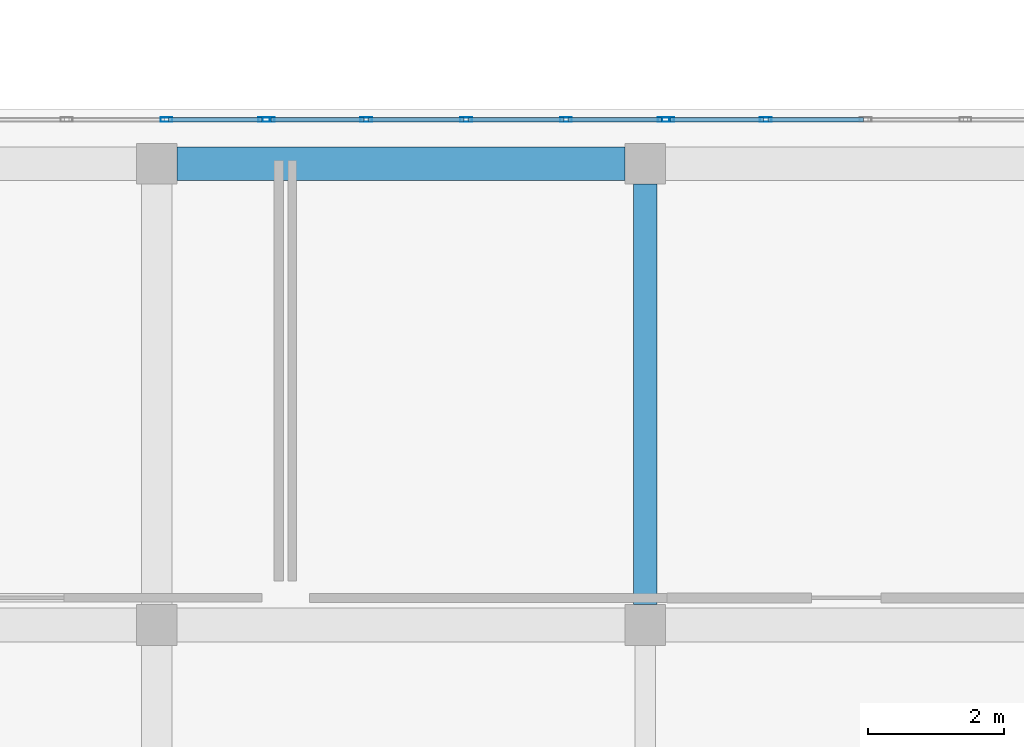
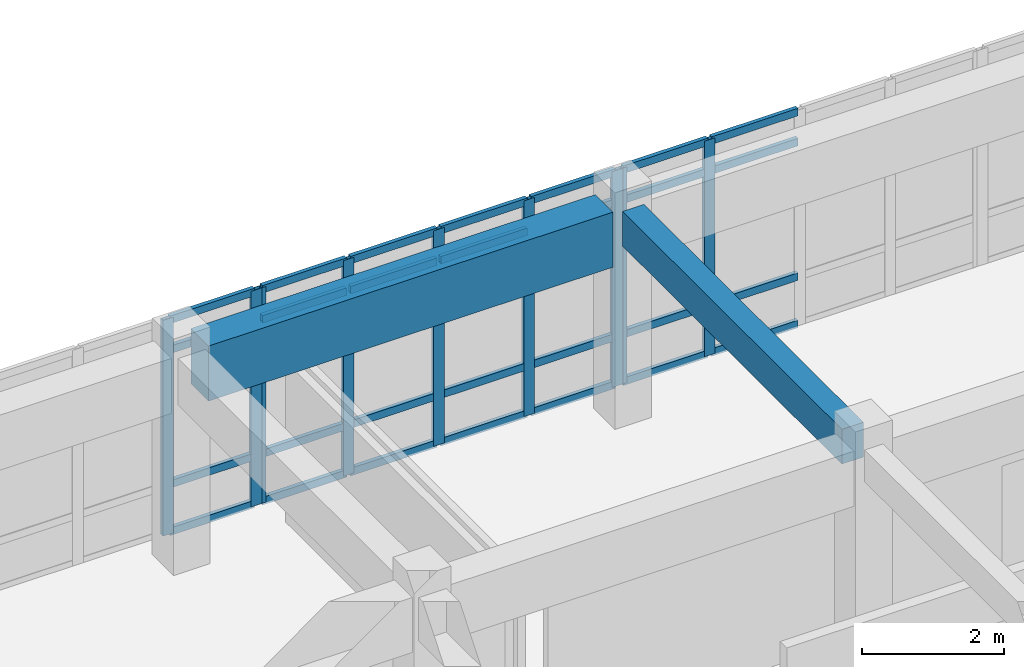
# One storey, part 22 of 91: 37 members, 2 beams, 3 elements without a shape of their own.
"""IFC4 building model written with IfcOpenShell, lengths in metres."""

from ifc_helpers import new_model, si_unit, direction, frame, origin, origin_2d, place, context, subcontext, project, spatial, rectangle, hollow_rectangle, extrude, material, layer, layer_set, material_profile, profile_set, type_object, element, aggregate, save


model = new_model("IFC4")

# Units and contexts
model_context = context("Model", 3, precision=1e-05, world=origin(), true_north=direction((0.0, 1.0)))
body_context = subcontext(model_context, "Body", "Model", "MODEL_VIEW")
ifc_project = project(units=[si_unit("LENGTHUNIT", "METRE"), si_unit("AREAUNIT", "SQUARE_METRE"), si_unit("VOLUMEUNIT", "CUBIC_METRE"), si_unit("PLANEANGLEUNIT", "RADIAN"), si_unit("MASSUNIT", "GRAM", prefix="KILO")], contexts=[model_context])

# Site, building, storey
site_placement = place(None, origin())
site = spatial("IfcSite", under=ifc_project, at=site_placement, CompositionType="ELEMENT")
building_placement = place(site_placement, origin())
building = spatial("IfcBuilding", under=site, at=building_placement, Name="Valcora Specialist Clinic", CompositionType="ELEMENT")
storey_placement = place(building_placement, frame((0.0, 0.0, 13.60009765625)))
storey = spatial("IfcBuildingStorey", under=building, at=storey_placement, Name="L03", CompositionType="ELEMENT", Elevation=13.60009765625)

# Beams
ifc_material_1 = material(Name="Concrete C40/50", Category="concrete")
ifc_material_profile_1 = material_profile(ifc_material_1, rectangle(XDim=0.35009765625, YDim=0.60009765625, at=origin_2d()), Name="RC-BM-350X600")
ifc_profile_set_1 = profile_set([ifc_material_profile_1], Name="Concrete C40/50")
beam_type_1 = type_object("IfcBeamType", Name="TY-BM-RC350X600", PredefinedType="BEAM", material=ifc_profile_set_1)
beam_1_placement = place(storey_placement, frame((23.39990234375, 15.5, 3.419921875), z_axis=(0.0, 1.0, 0.0), x_axis=(-1.0, 0.0, 0.0)))
element("IfcBeam", 1, at=beam_1_placement, inside=storey, type_object=beam_type_1, Name="Beam BM-L03-1062", PredefinedType="BEAM", context=body_context, shape_type="SweptSolid", body=[
    extrude(rectangle(XDim=0.35009765625, YDim=0.60009765625, at=origin_2d()), origin(), (0.0, 0.0, 1.0), 6.199951171875),
])
ifc_material_profile_2 = material_profile(ifc_material_1, rectangle(XDim=0.5, YDim=0.949951171875, at=origin_2d()), Name="RC-BM-500X950")
ifc_profile_set_2 = profile_set([ifc_material_profile_2], Name="Concrete C40/50")
beam_type_2 = type_object("IfcBeamType", Name="TY-BM-TR500X950", PredefinedType="BEAM", material=ifc_profile_set_2)
beam_2_placement = place(storey_placement, frame((16.5, 22.0, 3.244873046875), z_axis=(1.0, 0.0, 0.0), x_axis=(0.0, 1.0, 0.0)))
element("IfcBeam", 2, at=beam_2_placement, inside=storey, type_object=beam_type_2, Name="Beam BM-L03-1049", PredefinedType="BEAM", context=body_context, shape_type="SweptSolid", body=[
    extrude(rectangle(XDim=0.5, YDim=0.949951171875, at=origin_2d()), origin(), (0.0, 0.0, 1.0), 6.60009765625),
])

# Curtain wall, members
ifc_material_2 = material(Name="Anodized Bronze Aluminium 6063-T6", Category="aluminium")
ifc_layer = layer(ifc_material_2, 0.175048828125)
ifc_layer_set = layer_set([ifc_layer], Name="Anodized Bronze Aluminium 6063-T6")
curtain_wall_type = type_object("IfcCurtainWallType", Name="TY-CW-V5F15", PredefinedType="NOTDEFINED", material=ifc_layer_set)
curtain_wall_1_placement = place(storey_placement, origin())
curtain_wall_1 = element("IfcCurtainWall", 3, at=curtain_wall_1_placement, inside=storey, type_object=curtain_wall_type, Name="Curtain wall CW-L03-157", PredefinedType="NOTDEFINED")
ifc_material_profile_3 = material_profile(ifc_material_2, hollow_rectangle(XDim=0.06494140625, YDim=0.175048828125, WallThickness=0.00390625, at=origin_2d()), Name="AL-MUL-65X175")
ifc_profile_set_3 = profile_set([ifc_material_profile_3], Name="Anodized Bronze Aluminium 6063-T6")
member_type_1 = type_object("IfcMemberType", Name="TY-CWM-65X175", PredefinedType="MULLION", material=ifc_profile_set_3)
member_1_placement = place(storey_placement, frame((16.344482421875, 22.64990234375, 0.0), z_axis=(0.0, 0.0, 1.0), x_axis=(0.0, 1.0, 0.0)))
member_1 = element("IfcMember", 4, at=member_1_placement, type_object=member_type_1, Name="CW-V5F-15 mullion 4", PredefinedType="MULLION", context=body_context, shape_type="SweptSolid", body=[
    extrude(hollow_rectangle(XDim=0.06494140625, YDim=0.175048828125, WallThickness=0.00390625, at=origin_2d()), origin(), (0.0, 0.0, 1.0), 3.719970703125),
])
member_2_placement = place(storey_placement, frame((17.7841796875, 22.64990234375, 0.0), z_axis=(0.0, 0.0, 1.0), x_axis=(0.0, 1.0, 0.0)))
member_2 = element("IfcMember", 5, at=member_2_placement, type_object=member_type_1, Name="CW-V5F-15 mullion 5", PredefinedType="MULLION", context=body_context, shape_type="SweptSolid", body=[
    extrude(hollow_rectangle(XDim=0.06494140625, YDim=0.175048828125, WallThickness=0.00390625, at=origin_2d()), origin(), (0.0, 0.0, 1.0), 3.719970703125),
])

curtain_wall_2_placement = place(storey_placement, origin())
curtain_wall_2 = element("IfcCurtainWall", 6, at=curtain_wall_2_placement, inside=storey, type_object=curtain_wall_type, Name="Curtain wall CW-L03-158", PredefinedType="NOTDEFINED")
member_3_placement = place(storey_placement, frame((17.84912109375, 22.64990234375, 0.0), z_axis=(0.0, 0.0, 1.0), x_axis=(0.0, 1.0, 0.0)))
member_3 = element("IfcMember", 7, at=member_3_placement, type_object=member_type_1, Name="CW-V5F-15 mullion 1", PredefinedType="MULLION", context=body_context, shape_type="SweptSolid", body=[
    extrude(hollow_rectangle(XDim=0.06494140625, YDim=0.175048828125, WallThickness=0.00390625, at=origin_2d()), origin(), (0.0, 0.0, 1.0), 3.719970703125),
])
member_4_placement = place(storey_placement, frame((19.288818359375, 22.64990234375, 0.0), z_axis=(0.0, 0.0, 1.0), x_axis=(0.0, 1.0, 0.0)))
member_4 = element("IfcMember", 8, at=member_4_placement, type_object=member_type_1, Name="CW-V5F-15 mullion 2", PredefinedType="MULLION", context=body_context, shape_type="SweptSolid", body=[
    extrude(hollow_rectangle(XDim=0.06494140625, YDim=0.175048828125, WallThickness=0.00390625, at=origin_2d()), origin(), (0.0, 0.0, 1.0), 3.719970703125),
])
member_5_placement = place(storey_placement, frame((20.76123046875, 22.64990234375, 0.0), z_axis=(0.0, 0.0, 1.0), x_axis=(0.0, 1.0, 0.0)))
member_5 = element("IfcMember", 9, at=member_5_placement, type_object=member_type_1, Name="CW-V5F-15 mullion 3", PredefinedType="MULLION", context=body_context, shape_type="SweptSolid", body=[
    extrude(hollow_rectangle(XDim=0.06494140625, YDim=0.175048828125, WallThickness=0.00390625, at=origin_2d()), origin(), (0.0, 0.0, 1.0), 3.719970703125),
])
member_6_placement = place(storey_placement, frame((22.2333984375, 22.64990234375, 0.0), z_axis=(0.0, 0.0, 1.0), x_axis=(0.0, 1.0, 0.0)))
member_6 = element("IfcMember", 10, at=member_6_placement, type_object=member_type_1, Name="CW-V5F-15 mullion 4", PredefinedType="MULLION", context=body_context, shape_type="SweptSolid", body=[
    extrude(hollow_rectangle(XDim=0.06494140625, YDim=0.175048828125, WallThickness=0.00390625, at=origin_2d()), origin(), (0.0, 0.0, 1.0), 3.719970703125),
])
member_7_placement = place(storey_placement, frame((23.673095703125, 22.64990234375, 0.0), z_axis=(0.0, 0.0, 1.0), x_axis=(0.0, 1.0, 0.0)))
member_7 = element("IfcMember", 11, at=member_7_placement, type_object=member_type_1, Name="CW-V5F-15 mullion 5", PredefinedType="MULLION", context=body_context, shape_type="SweptSolid", body=[
    extrude(hollow_rectangle(XDim=0.06494140625, YDim=0.175048828125, WallThickness=0.00390625, at=origin_2d()), origin(), (0.0, 0.0, 1.0), 3.719970703125),
])

curtain_wall_3_placement = place(storey_placement, origin())
curtain_wall_3 = element("IfcCurtainWall", 12, at=curtain_wall_3_placement, inside=storey, type_object=curtain_wall_type, Name="Curtain wall CW-L03-159", PredefinedType="NOTDEFINED")
member_8_placement = place(storey_placement, frame((23.738037109375, 22.64990234375, 0.0), z_axis=(0.0, 0.0, 1.0), x_axis=(0.0, 1.0, 0.0)))
member_8 = element("IfcMember", 13, at=member_8_placement, type_object=member_type_1, Name="CW-V5F-15 mullion 1", PredefinedType="MULLION", context=body_context, shape_type="SweptSolid", body=[
    extrude(hollow_rectangle(XDim=0.06494140625, YDim=0.175048828125, WallThickness=0.00390625, at=origin_2d()), origin(), (0.0, 0.0, 1.0), 3.719970703125),
])
member_9_placement = place(storey_placement, frame((25.177734375, 22.64990234375, 0.0), z_axis=(0.0, 0.0, 1.0), x_axis=(0.0, 1.0, 0.0)))
member_9 = element("IfcMember", 14, at=member_9_placement, type_object=member_type_1, Name="CW-V5F-15 mullion 2", PredefinedType="MULLION", context=body_context, shape_type="SweptSolid", body=[
    extrude(hollow_rectangle(XDim=0.06494140625, YDim=0.175048828125, WallThickness=0.00390625, at=origin_2d()), origin(), (0.0, 0.0, 1.0), 3.719970703125),
])

# Member
ifc_material_profile_4 = material_profile(ifc_material_2, hollow_rectangle(XDim=0.06494140625, YDim=0.1298828125, WallThickness=0.00390625, at=origin_2d()), Name="AL-TRN-65X130")
ifc_profile_set_4 = profile_set([ifc_material_profile_4], Name="Anodized Bronze Aluminium 6063-T6")
member_type_2 = type_object("IfcMemberType", Name="TY-CWT-65X130", PredefinedType="USERDEFINED", material=ifc_profile_set_4)
member_10_placement = place(storey_placement, frame((16.376953125, 22.64990234375, 0.032470703125), z_axis=(1.0, 0.0, 0.0), x_axis=(0.0, 1.0, 0.0)))
member_10 = element("IfcMember", 15, at=member_10_placement, type_object=member_type_2, Name="CW-V5F-15 transom 4.1", ObjectType="TRANSOM", PredefinedType="USERDEFINED", context=body_context, shape_type="SweptSolid", body=[
    extrude(hollow_rectangle(XDim=0.06494140625, YDim=0.1298828125, WallThickness=0.00390625, at=origin_2d()), origin(), (0.0, 0.0, 1.0), 1.374755859375),
])

member_11_placement = place(storey_placement, frame((16.376953125, 22.64990234375, 0.849853515625), z_axis=(1.0, 0.0, 0.0), x_axis=(0.0, 1.0, 0.0)))
member_11 = element("IfcMember", 16, at=member_11_placement, type_object=member_type_2, Name="CW-V5F-15 transom 4.2", ObjectType="TRANSOM", PredefinedType="USERDEFINED", context=body_context, shape_type="SweptSolid", body=[
    extrude(hollow_rectangle(XDim=0.06494140625, YDim=0.1298828125, WallThickness=0.00390625, at=origin_2d()), origin(), (0.0, 0.0, 1.0), 1.374755859375),
])

member_12_placement = place(storey_placement, frame((16.376953125, 22.64990234375, 3.169921875), z_axis=(1.0, 0.0, 0.0), x_axis=(0.0, 1.0, 0.0)))
member_12 = element("IfcMember", 17, at=member_12_placement, type_object=member_type_2, Name="CW-V5F-15 transom 4.3", ObjectType="TRANSOM", PredefinedType="USERDEFINED", context=body_context, shape_type="SweptSolid", body=[
    extrude(hollow_rectangle(XDim=0.06494140625, YDim=0.1298828125, WallThickness=0.00390625, at=origin_2d()), origin(), (0.0, 0.0, 1.0), 1.374755859375),
])

member_13_placement = place(storey_placement, frame((16.376953125, 22.64990234375, 3.6875), z_axis=(1.0, 0.0, 0.0), x_axis=(0.0, 1.0, 0.0)))
member_13 = element("IfcMember", 18, at=member_13_placement, type_object=member_type_2, Name="CW-V5F-15 transom 4.4", ObjectType="TRANSOM", PredefinedType="USERDEFINED", context=body_context, shape_type="SweptSolid", body=[
    extrude(hollow_rectangle(XDim=0.06494140625, YDim=0.1298828125, WallThickness=0.00390625, at=origin_2d()), origin(), (0.0, 0.0, 1.0), 1.374755859375),
])

aggregate(curtain_wall_1, [member_1, member_2, member_10, member_11, member_12, member_13])

member_14_placement = place(storey_placement, frame((17.881591796875, 22.64990234375, 0.032470703125), z_axis=(1.0, 0.0, 0.0), x_axis=(0.0, 1.0, 0.0)))
member_14 = element("IfcMember", 19, at=member_14_placement, type_object=member_type_2, Name="CW-V5F-15 transom 1.1", ObjectType="TRANSOM", PredefinedType="USERDEFINED", context=body_context, shape_type="SweptSolid", body=[
    extrude(hollow_rectangle(XDim=0.06494140625, YDim=0.1298828125, WallThickness=0.00390625, at=origin_2d()), origin(), (0.0, 0.0, 1.0), 1.374755859375),
])

member_15_placement = place(storey_placement, frame((17.881591796875, 22.64990234375, 0.849853515625), z_axis=(1.0, 0.0, 0.0), x_axis=(0.0, 1.0, 0.0)))
member_15 = element("IfcMember", 20, at=member_15_placement, type_object=member_type_2, Name="CW-V5F-15 transom 1.2", ObjectType="TRANSOM", PredefinedType="USERDEFINED", context=body_context, shape_type="SweptSolid", body=[
    extrude(hollow_rectangle(XDim=0.06494140625, YDim=0.1298828125, WallThickness=0.00390625, at=origin_2d()), origin(), (0.0, 0.0, 1.0), 1.374755859375),
])

member_16_placement = place(storey_placement, frame((17.881591796875, 22.64990234375, 3.169921875), z_axis=(1.0, 0.0, 0.0), x_axis=(0.0, 1.0, 0.0)))
member_16 = element("IfcMember", 21, at=member_16_placement, type_object=member_type_2, Name="CW-V5F-15 transom 1.3", ObjectType="TRANSOM", PredefinedType="USERDEFINED", context=body_context, shape_type="SweptSolid", body=[
    extrude(hollow_rectangle(XDim=0.06494140625, YDim=0.1298828125, WallThickness=0.00390625, at=origin_2d()), origin(), (0.0, 0.0, 1.0), 1.374755859375),
])

member_17_placement = place(storey_placement, frame((17.881591796875, 22.64990234375, 3.6875), z_axis=(1.0, 0.0, 0.0), x_axis=(0.0, 1.0, 0.0)))
member_17 = element("IfcMember", 22, at=member_17_placement, type_object=member_type_2, Name="CW-V5F-15 transom 1.4", ObjectType="TRANSOM", PredefinedType="USERDEFINED", context=body_context, shape_type="SweptSolid", body=[
    extrude(hollow_rectangle(XDim=0.06494140625, YDim=0.1298828125, WallThickness=0.00390625, at=origin_2d()), origin(), (0.0, 0.0, 1.0), 1.374755859375),
])

member_18_placement = place(storey_placement, frame((19.321533203125, 22.64990234375, 0.032470703125), z_axis=(1.0, 0.0, 0.0), x_axis=(0.0, 1.0, 0.0)))
member_18 = element("IfcMember", 23, at=member_18_placement, type_object=member_type_2, Name="CW-V5F-15 transom 2.1", ObjectType="TRANSOM", PredefinedType="USERDEFINED", context=body_context, shape_type="SweptSolid", body=[
    extrude(hollow_rectangle(XDim=0.06494140625, YDim=0.1298828125, WallThickness=0.00390625, at=origin_2d()), origin(), (0.0, 0.0, 1.0), 1.4072265625),
])

member_19_placement = place(storey_placement, frame((19.321533203125, 22.64990234375, 0.849853515625), z_axis=(1.0, 0.0, 0.0), x_axis=(0.0, 1.0, 0.0)))
member_19 = element("IfcMember", 24, at=member_19_placement, type_object=member_type_2, Name="CW-V5F-15 transom 2.2", ObjectType="TRANSOM", PredefinedType="USERDEFINED", context=body_context, shape_type="SweptSolid", body=[
    extrude(hollow_rectangle(XDim=0.06494140625, YDim=0.1298828125, WallThickness=0.00390625, at=origin_2d()), origin(), (0.0, 0.0, 1.0), 1.4072265625),
])

member_20_placement = place(storey_placement, frame((19.321533203125, 22.64990234375, 3.169921875), z_axis=(1.0, 0.0, 0.0), x_axis=(0.0, 1.0, 0.0)))
member_20 = element("IfcMember", 25, at=member_20_placement, type_object=member_type_2, Name="CW-V5F-15 transom 2.3", ObjectType="TRANSOM", PredefinedType="USERDEFINED", context=body_context, shape_type="SweptSolid", body=[
    extrude(hollow_rectangle(XDim=0.06494140625, YDim=0.1298828125, WallThickness=0.00390625, at=origin_2d()), origin(), (0.0, 0.0, 1.0), 1.4072265625),
])

member_21_placement = place(storey_placement, frame((19.321533203125, 22.64990234375, 3.6875), z_axis=(1.0, 0.0, 0.0), x_axis=(0.0, 1.0, 0.0)))
member_21 = element("IfcMember", 26, at=member_21_placement, type_object=member_type_2, Name="CW-V5F-15 transom 2.4", ObjectType="TRANSOM", PredefinedType="USERDEFINED", context=body_context, shape_type="SweptSolid", body=[
    extrude(hollow_rectangle(XDim=0.06494140625, YDim=0.1298828125, WallThickness=0.00390625, at=origin_2d()), origin(), (0.0, 0.0, 1.0), 1.4072265625),
])

member_22_placement = place(storey_placement, frame((20.793701171875, 22.64990234375, 0.032470703125), z_axis=(1.0, 0.0, 0.0), x_axis=(0.0, 1.0, 0.0)))
member_22 = element("IfcMember", 27, at=member_22_placement, type_object=member_type_2, Name="CW-V5F-15 transom 3.1", ObjectType="TRANSOM", PredefinedType="USERDEFINED", context=body_context, shape_type="SweptSolid", body=[
    extrude(hollow_rectangle(XDim=0.06494140625, YDim=0.1298828125, WallThickness=0.00390625, at=origin_2d()), origin(), (0.0, 0.0, 1.0), 1.4072265625),
])

member_23_placement = place(storey_placement, frame((20.793701171875, 22.64990234375, 0.849853515625), z_axis=(1.0, 0.0, 0.0), x_axis=(0.0, 1.0, 0.0)))
member_23 = element("IfcMember", 28, at=member_23_placement, type_object=member_type_2, Name="CW-V5F-15 transom 3.2", ObjectType="TRANSOM", PredefinedType="USERDEFINED", context=body_context, shape_type="SweptSolid", body=[
    extrude(hollow_rectangle(XDim=0.06494140625, YDim=0.1298828125, WallThickness=0.00390625, at=origin_2d()), origin(), (0.0, 0.0, 1.0), 1.4072265625),
])

member_24_placement = place(storey_placement, frame((20.793701171875, 22.64990234375, 3.169921875), z_axis=(1.0, 0.0, 0.0), x_axis=(0.0, 1.0, 0.0)))
member_24 = element("IfcMember", 29, at=member_24_placement, type_object=member_type_2, Name="CW-V5F-15 transom 3.3", ObjectType="TRANSOM", PredefinedType="USERDEFINED", context=body_context, shape_type="SweptSolid", body=[
    extrude(hollow_rectangle(XDim=0.06494140625, YDim=0.1298828125, WallThickness=0.00390625, at=origin_2d()), origin(), (0.0, 0.0, 1.0), 1.4072265625),
])

member_25_placement = place(storey_placement, frame((20.793701171875, 22.64990234375, 3.6875), z_axis=(1.0, 0.0, 0.0), x_axis=(0.0, 1.0, 0.0)))
member_25 = element("IfcMember", 30, at=member_25_placement, type_object=member_type_2, Name="CW-V5F-15 transom 3.4", ObjectType="TRANSOM", PredefinedType="USERDEFINED", context=body_context, shape_type="SweptSolid", body=[
    extrude(hollow_rectangle(XDim=0.06494140625, YDim=0.1298828125, WallThickness=0.00390625, at=origin_2d()), origin(), (0.0, 0.0, 1.0), 1.4072265625),
])

member_26_placement = place(storey_placement, frame((22.265869140625, 22.64990234375, 0.032470703125), z_axis=(1.0, 0.0, 0.0), x_axis=(0.0, 1.0, 0.0)))
member_26 = element("IfcMember", 31, at=member_26_placement, type_object=member_type_2, Name="CW-V5F-15 transom 4.1", ObjectType="TRANSOM", PredefinedType="USERDEFINED", context=body_context, shape_type="SweptSolid", body=[
    extrude(hollow_rectangle(XDim=0.06494140625, YDim=0.1298828125, WallThickness=0.00390625, at=origin_2d()), origin(), (0.0, 0.0, 1.0), 1.374755859375),
])

member_27_placement = place(storey_placement, frame((22.265869140625, 22.64990234375, 0.849853515625), z_axis=(1.0, 0.0, 0.0), x_axis=(0.0, 1.0, 0.0)))
member_27 = element("IfcMember", 32, at=member_27_placement, type_object=member_type_2, Name="CW-V5F-15 transom 4.2", ObjectType="TRANSOM", PredefinedType="USERDEFINED", context=body_context, shape_type="SweptSolid", body=[
    extrude(hollow_rectangle(XDim=0.06494140625, YDim=0.1298828125, WallThickness=0.00390625, at=origin_2d()), origin(), (0.0, 0.0, 1.0), 1.374755859375),
])

member_28_placement = place(storey_placement, frame((22.265869140625, 22.64990234375, 3.169921875), z_axis=(1.0, 0.0, 0.0), x_axis=(0.0, 1.0, 0.0)))
member_28 = element("IfcMember", 33, at=member_28_placement, type_object=member_type_2, Name="CW-V5F-15 transom 4.3", ObjectType="TRANSOM", PredefinedType="USERDEFINED", context=body_context, shape_type="SweptSolid", body=[
    extrude(hollow_rectangle(XDim=0.06494140625, YDim=0.1298828125, WallThickness=0.00390625, at=origin_2d()), origin(), (0.0, 0.0, 1.0), 1.374755859375),
])

member_29_placement = place(storey_placement, frame((22.265869140625, 22.64990234375, 3.6875), z_axis=(1.0, 0.0, 0.0), x_axis=(0.0, 1.0, 0.0)))
member_29 = element("IfcMember", 34, at=member_29_placement, type_object=member_type_2, Name="CW-V5F-15 transom 4.4", ObjectType="TRANSOM", PredefinedType="USERDEFINED", context=body_context, shape_type="SweptSolid", body=[
    extrude(hollow_rectangle(XDim=0.06494140625, YDim=0.1298828125, WallThickness=0.00390625, at=origin_2d()), origin(), (0.0, 0.0, 1.0), 1.374755859375),
])

aggregate(curtain_wall_2, [member_3, member_4, member_5, member_6, member_7, member_14, member_15, member_16, member_17, member_18, member_19, member_20, member_21, member_22, member_23, member_24, member_25, member_26, member_27, member_28, member_29])

member_30_placement = place(storey_placement, frame((23.7705078125, 22.64990234375, 0.032470703125), z_axis=(1.0, 0.0, 0.0), x_axis=(0.0, 1.0, 0.0)))
member_30 = element("IfcMember", 35, at=member_30_placement, type_object=member_type_2, Name="CW-V5F-15 transom 1.1", ObjectType="TRANSOM", PredefinedType="USERDEFINED", context=body_context, shape_type="SweptSolid", body=[
    extrude(hollow_rectangle(XDim=0.06494140625, YDim=0.1298828125, WallThickness=0.00390625, at=origin_2d()), origin(), (0.0, 0.0, 1.0), 1.374755859375),
])

member_31_placement = place(storey_placement, frame((23.7705078125, 22.64990234375, 0.849853515625), z_axis=(1.0, 0.0, 0.0), x_axis=(0.0, 1.0, 0.0)))
member_31 = element("IfcMember", 36, at=member_31_placement, type_object=member_type_2, Name="CW-V5F-15 transom 1.2", ObjectType="TRANSOM", PredefinedType="USERDEFINED", context=body_context, shape_type="SweptSolid", body=[
    extrude(hollow_rectangle(XDim=0.06494140625, YDim=0.1298828125, WallThickness=0.00390625, at=origin_2d()), origin(), (0.0, 0.0, 1.0), 1.374755859375),
])

member_32_placement = place(storey_placement, frame((23.7705078125, 22.64990234375, 3.169921875), z_axis=(1.0, 0.0, 0.0), x_axis=(0.0, 1.0, 0.0)))
member_32 = element("IfcMember", 37, at=member_32_placement, type_object=member_type_2, Name="CW-V5F-15 transom 1.3", ObjectType="TRANSOM", PredefinedType="USERDEFINED", context=body_context, shape_type="SweptSolid", body=[
    extrude(hollow_rectangle(XDim=0.06494140625, YDim=0.1298828125, WallThickness=0.00390625, at=origin_2d()), origin(), (0.0, 0.0, 1.0), 1.374755859375),
])

member_33_placement = place(storey_placement, frame((23.7705078125, 22.64990234375, 3.6875), z_axis=(1.0, 0.0, 0.0), x_axis=(0.0, 1.0, 0.0)))
member_33 = element("IfcMember", 38, at=member_33_placement, type_object=member_type_2, Name="CW-V5F-15 transom 1.4", ObjectType="TRANSOM", PredefinedType="USERDEFINED", context=body_context, shape_type="SweptSolid", body=[
    extrude(hollow_rectangle(XDim=0.06494140625, YDim=0.1298828125, WallThickness=0.00390625, at=origin_2d()), origin(), (0.0, 0.0, 1.0), 1.374755859375),
])

member_34_placement = place(storey_placement, frame((25.210205078125, 22.64990234375, 0.032470703125), z_axis=(1.0, 0.0, 0.0), x_axis=(0.0, 1.0, 0.0)))
member_34 = element("IfcMember", 39, at=member_34_placement, type_object=member_type_2, Name="CW-V5F-15 transom 2.1", ObjectType="TRANSOM", PredefinedType="USERDEFINED", context=body_context, shape_type="SweptSolid", body=[
    extrude(hollow_rectangle(XDim=0.06494140625, YDim=0.1298828125, WallThickness=0.00390625, at=origin_2d()), origin(), (0.0, 0.0, 1.0), 1.4072265625),
])

member_35_placement = place(storey_placement, frame((25.210205078125, 22.64990234375, 0.849853515625), z_axis=(1.0, 0.0, 0.0), x_axis=(0.0, 1.0, 0.0)))
member_35 = element("IfcMember", 40, at=member_35_placement, type_object=member_type_2, Name="CW-V5F-15 transom 2.2", ObjectType="TRANSOM", PredefinedType="USERDEFINED", context=body_context, shape_type="SweptSolid", body=[
    extrude(hollow_rectangle(XDim=0.06494140625, YDim=0.1298828125, WallThickness=0.00390625, at=origin_2d()), origin(), (0.0, 0.0, 1.0), 1.4072265625),
])

member_36_placement = place(storey_placement, frame((25.210205078125, 22.64990234375, 3.169921875), z_axis=(1.0, 0.0, 0.0), x_axis=(0.0, 1.0, 0.0)))
member_36 = element("IfcMember", 41, at=member_36_placement, type_object=member_type_2, Name="CW-V5F-15 transom 2.3", ObjectType="TRANSOM", PredefinedType="USERDEFINED", context=body_context, shape_type="SweptSolid", body=[
    extrude(hollow_rectangle(XDim=0.06494140625, YDim=0.1298828125, WallThickness=0.00390625, at=origin_2d()), origin(), (0.0, 0.0, 1.0), 1.4072265625),
])

member_37_placement = place(storey_placement, frame((25.210205078125, 22.64990234375, 3.6875), z_axis=(1.0, 0.0, 0.0), x_axis=(0.0, 1.0, 0.0)))
member_37 = element("IfcMember", 42, at=member_37_placement, type_object=member_type_2, Name="CW-V5F-15 transom 2.4", ObjectType="TRANSOM", PredefinedType="USERDEFINED", context=body_context, shape_type="SweptSolid", body=[
    extrude(hollow_rectangle(XDim=0.06494140625, YDim=0.1298828125, WallThickness=0.00390625, at=origin_2d()), origin(), (0.0, 0.0, 1.0), 1.4072265625),
])

aggregate(curtain_wall_3, [member_8, member_9, member_30, member_31, member_32, member_33, member_34, member_35, member_36, member_37])

save(model, "model.ifc")
